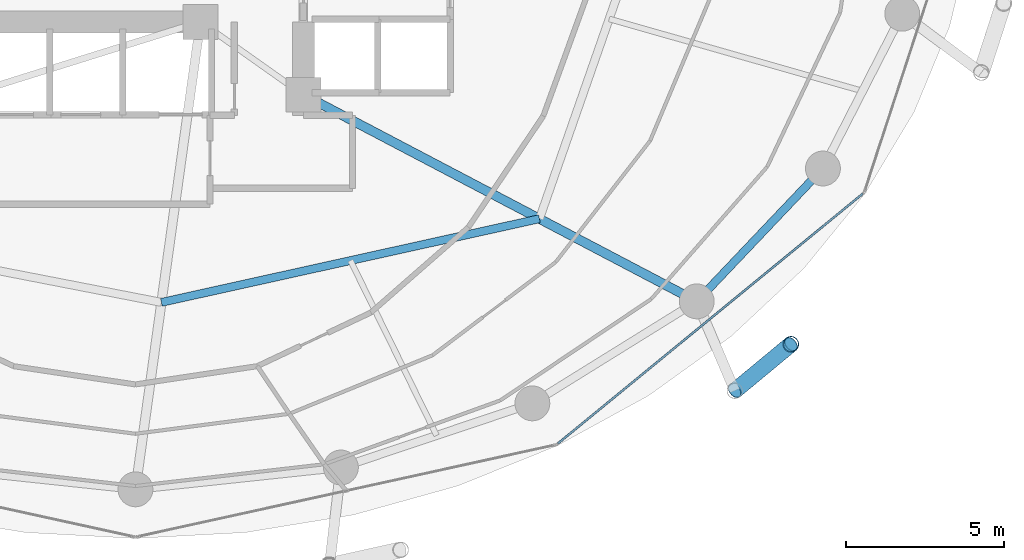
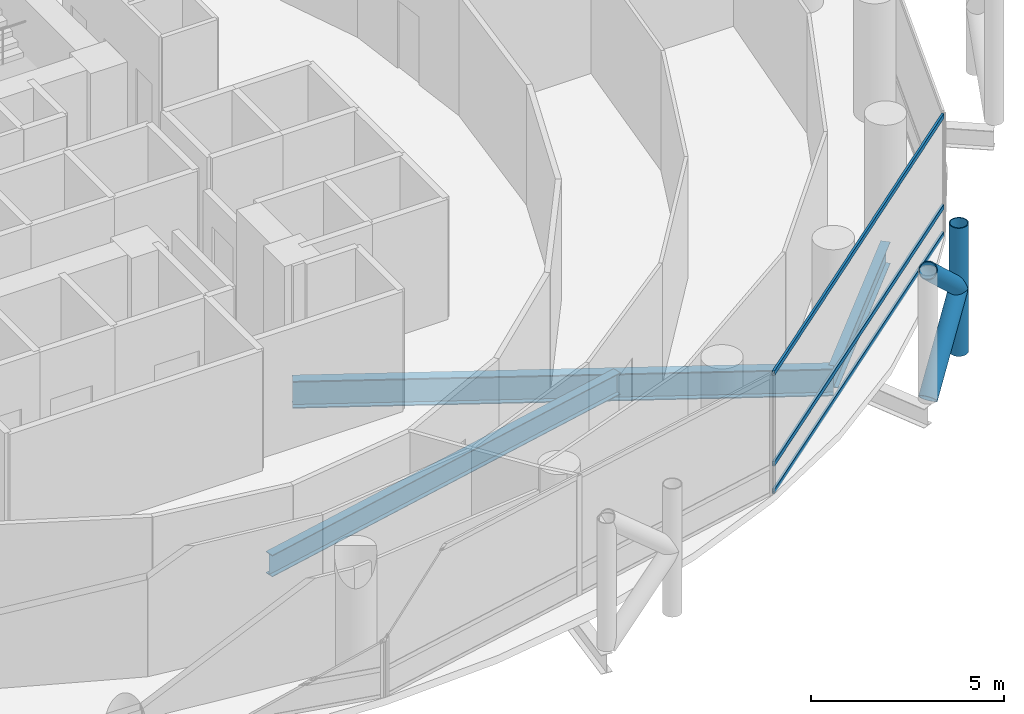
# One storey, part 9 of 26: 6 members, 3 beams, 1 element without a shape of its own.
"""IFC4 building model written with IfcOpenShell, lengths in metres."""

from ifc_helpers import new_model, si_unit, direction, frame, origin, origin_2d, place, context, subcontext, project, spatial, hollow_rectangle, hollow_circle, i_section, extrude, material, layer, layer_set, material_profile, profile_set, type_object, element, aggregate, save


model = new_model("IFC4")

# Units and contexts
model_context = context("Model", 3, precision=1e-05, world=origin(), true_north=direction((0.0, 1.0)))
body_context = subcontext(model_context, "Body", "Model", "MODEL_VIEW")
ifc_project = project(units=[si_unit("LENGTHUNIT", "METRE"), si_unit("AREAUNIT", "SQUARE_METRE"), si_unit("VOLUMEUNIT", "CUBIC_METRE"), si_unit("PLANEANGLEUNIT", "RADIAN"), si_unit("MASSUNIT", "GRAM", prefix="KILO")], contexts=[model_context])

# Site, building, storey
site_placement = place(None, origin())
site = spatial("IfcSite", under=ifc_project, at=site_placement, CompositionType="ELEMENT")
building_placement = place(site_placement, origin())
building = spatial("IfcBuilding", under=site, at=building_placement, Name="Nuhasar Tower", CompositionType="ELEMENT")
storey_placement = place(building_placement, frame((0.0, 0.0, 97.949951171875)))
storey = spatial("IfcBuildingStorey", under=building, at=storey_placement, Name="L23", CompositionType="ELEMENT", Elevation=97.949951171875)

# Beams
ifc_material_1 = material(Name="Steel S355", Category="steel")
ifc_material_profile_1 = material_profile(ifc_material_1, i_section(OverallWidth=0.25390625, OverallDepth=0.68408203125, WebThickness=0.012451171875, FlangeThickness=0.018798828125, at=origin_2d()), Name="W27X94")
ifc_profile_set_1 = profile_set([ifc_material_profile_1], Name="Steel S355")
beam_type_1 = type_object("IfcBeamType", Name="BM-INRING-W27X94", PredefinedType="BEAM", material=ifc_profile_set_1)
beam_1_placement = place(storey_placement, frame((39.820068359375, 12.449951171875, -0.592041015625), z_axis=(0.976386023343, 0.216033176665, 0.0), x_axis=(-0.216033176665, 0.976386023343, 0.0)))
element("IfcBeam", 1, at=beam_1_placement, inside=storey, type_object=beam_type_1, Name="L23 Inner Header Beam 02", PredefinedType="BEAM", context=body_context, shape_type="SweptSolid", body=[
    extrude(i_section(OverallWidth=0.25390625, OverallDepth=0.68408203125, WebThickness=0.012451171875, FlangeThickness=0.018798828125, at=origin_2d()), origin(), (0.0, 0.0, 1.0), 12.216552734375),
])
ifc_material_profile_2 = material_profile(ifc_material_1, i_section(OverallWidth=0.2919921875, OverallDepth=0.85888671875, WebThickness=0.01708984375, FlangeThickness=0.031005859375, at=origin_2d()), Name="W33X169")
ifc_profile_set_2 = profile_set([ifc_material_profile_2], Name="Steel S355")
beam_type_2 = type_object("IfcBeamType", Name="BM-POD-W33X169", PredefinedType="BEAM", material=ifc_profile_set_2)
beam_2_placement = place(storey_placement, frame((44.300048828125, 19.0, -0.679931640625), z_axis=(0.885330348705, -0.464962550816, 0.0), x_axis=(0.464962550816, 0.885330348705, 0.0)))
element("IfcBeam", 2, at=beam_2_placement, inside=storey, type_object=beam_type_2, Name="L23 Radial Floor Girder 03", PredefinedType="BEAM", context=body_context, shape_type="SweptSolid", body=[
    extrude(i_section(OverallWidth=0.2919921875, OverallDepth=0.85888671875, WebThickness=0.01708984375, FlangeThickness=0.031005859375, at=origin_2d()), origin(), (0.0, 0.0, 1.0), 14.0205078125),
])
ifc_material_profile_3 = material_profile(ifc_material_1, i_section(OverallWidth=0.256103515625, OverallDepth=0.693115234375, WebThickness=0.014404296875, FlangeThickness=0.023681640625, at=origin_2d()), Name="W27X114")
ifc_profile_set_3 = profile_set([ifc_material_profile_3], Name="Steel S355")
beam_type_3 = type_object("IfcBeamType", Name="BM-RING-W27X114", PredefinedType="SPANDREL", material=ifc_profile_set_3)
beam_3_placement = place(storey_placement, frame((56.712890625, 12.48095703125, -0.596923828125), z_axis=(0.688459812429, 0.725274490569, 0.0), x_axis=(-0.725274490569, 0.688459812429, 0.0)))
element("IfcBeam", 3, at=beam_3_placement, inside=storey, type_object=beam_type_3, Name="L23 Perimeter Ring Spandrel 22", PredefinedType="SPANDREL", context=body_context, shape_type="SweptSolid", body=[
    extrude(i_section(OverallWidth=0.256103515625, OverallDepth=0.693115234375, WebThickness=0.014404296875, FlangeThickness=0.023681640625, at=origin_2d()), origin(), (0.0, 0.0, 1.0), 5.78271484375),
])

# Curtain wall, members
ifc_material_2 = material(Name="Aluminium 6063-T6", Category="aluminium")
ifc_layer = layer(ifc_material_2, 0.199951171875)
ifc_layer_set = layer_set([ifc_layer], Name="Aluminium 6063-T6")
curtain_wall_type = type_object("IfcCurtainWallType", Name="CW-Z1-OFF", PredefinedType="NOTDEFINED", material=ifc_layer_set)
curtain_wall_placement = place(storey_placement, origin())
curtain_wall = element("IfcCurtainWall", 4, at=curtain_wall_placement, inside=storey, type_object=curtain_wall_type, Name="L23 Unitised Curtain Wall 11", PredefinedType="NOTDEFINED")
ifc_material_profile_4 = material_profile(ifc_material_2, hollow_rectangle(XDim=0.06494140625, YDim=0.14990234375, WallThickness=0.00439453125, at=origin_2d()), Name="CWT-2")
ifc_profile_set_4 = profile_set([ifc_material_profile_4], Name="Aluminium 6063-T6")
member_type_1 = type_object("IfcMemberType", Name="CW-TRN-S2", PredefinedType="USERDEFINED", material=ifc_profile_set_4)
member_1_placement = place(storey_placement, frame((52.330322265625, 7.99609375, 0.032470703125), z_axis=(0.773531229158, 0.633758185365, 0.0), x_axis=(-0.633758185365, 0.773531229158, 0.0)))
member_1 = element("IfcMember", 5, at=member_1_placement, type_object=member_type_1, Name="CW-Z1 transom 1.1", ObjectType="TRANSOM", PredefinedType="USERDEFINED", context=body_context, shape_type="SweptSolid", body=[
    extrude(hollow_rectangle(XDim=0.06494140625, YDim=0.14990234375, WallThickness=0.00439453125, at=origin_2d()), origin(), (0.0, 0.0, 1.0), 12.438232421875),
])
member_2_placement = place(storey_placement, frame((52.330322265625, 7.99609375, 0.900146484375), z_axis=(0.773531229158, 0.633758185365, 0.0), x_axis=(-0.633758185365, 0.773531229158, 0.0)))
member_2 = element("IfcMember", 6, at=member_2_placement, type_object=member_type_1, Name="CW-Z1 transom 1.2", ObjectType="TRANSOM", PredefinedType="USERDEFINED", context=body_context, shape_type="SweptSolid", body=[
    extrude(hollow_rectangle(XDim=0.06494140625, YDim=0.14990234375, WallThickness=0.00439453125, at=origin_2d()), origin(), (0.0, 0.0, 1.0), 12.438232421875),
])
member_3_placement = place(storey_placement, frame((52.330322265625, 7.99609375, 3.767578125), z_axis=(0.773531229158, 0.633758185365, 0.0), x_axis=(-0.633758185365, 0.773531229158, 0.0)))
member_3 = element("IfcMember", 7, at=member_3_placement, type_object=member_type_1, Name="CW-Z1 transom 1.3", ObjectType="TRANSOM", PredefinedType="USERDEFINED", context=body_context, shape_type="SweptSolid", body=[
    extrude(hollow_rectangle(XDim=0.06494140625, YDim=0.14990234375, WallThickness=0.00439453125, at=origin_2d()), origin(), (0.0, 0.0, 1.0), 12.438232421875),
])
aggregate(curtain_wall, [member_1, member_2, member_3])

# Members
ifc_material_3 = material(Name="Steel S460", Category="steel")
ifc_material_profile_5 = material_profile(ifc_material_3, hollow_circle(Radius=0.25390625, WallThickness=0.025390625, at=origin_2d()), Name="HSS508X25.4")
ifc_profile_set_5 = profile_set([ifc_material_profile_5], Name="Steel S460")
member_type_2 = type_object("IfcMemberType", Name="EXO-BRONZE-508", PredefinedType="BRACE", material=ifc_profile_set_5)
member_4_placement = place(storey_placement, frame((59.68505859375, 11.12890625, 0.0), z_axis=(0.0, 0.0, 1.0), x_axis=(1.0, 0.0, 0.0)))
element("IfcMember", 8, at=member_4_placement, inside=storey, type_object=member_type_2, Name="L23 Exoskeleton Chord Column EC-11B", PredefinedType="BRACE", context=body_context, shape_type="SweptSolid", body=[
    extrude(hollow_circle(Radius=0.25390625, WallThickness=0.025390625, at=origin_2d()), origin(), (0.0, 0.0, 1.0), 4.050048828125),
])
member_5_placement = place(storey_placement, frame((57.9130859375, 9.660888671875, 0.0), z_axis=(0.578071194894, 0.478911834514, 0.660664172175), x_axis=(-0.637969333506, 0.770061769929, 0.0)))
element("IfcMember", 9, at=member_5_placement, inside=storey, type_object=member_type_2, Name="L23 Bronze Diagrid Brace W1-11", PredefinedType="BRACE", context=body_context, shape_type="SweptSolid", body=[
    extrude(hollow_circle(Radius=0.25390625, WallThickness=0.025390625, at=origin_2d()), origin(), (0.0, 0.0, 1.0), 3.0654296875),
])
member_6_placement = place(storey_placement, frame((59.68505859375, 11.12890625, 2.025146484375), z_axis=(-0.578101613167, -0.478937034992, 0.660619286251), x_axis=(0.637969333506, -0.770061769929, 0.0)))
element("IfcMember", 10, at=member_6_placement, inside=storey, type_object=member_type_2, Name="L23 Bronze Diagrid Brace W2-11", PredefinedType="BRACE", context=body_context, shape_type="SweptSolid", body=[
    extrude(hollow_circle(Radius=0.25390625, WallThickness=0.025390625, at=origin_2d()), origin(), (0.0, 0.0, 1.0), 3.065185546875),
])

save(model, "model.ifc")
